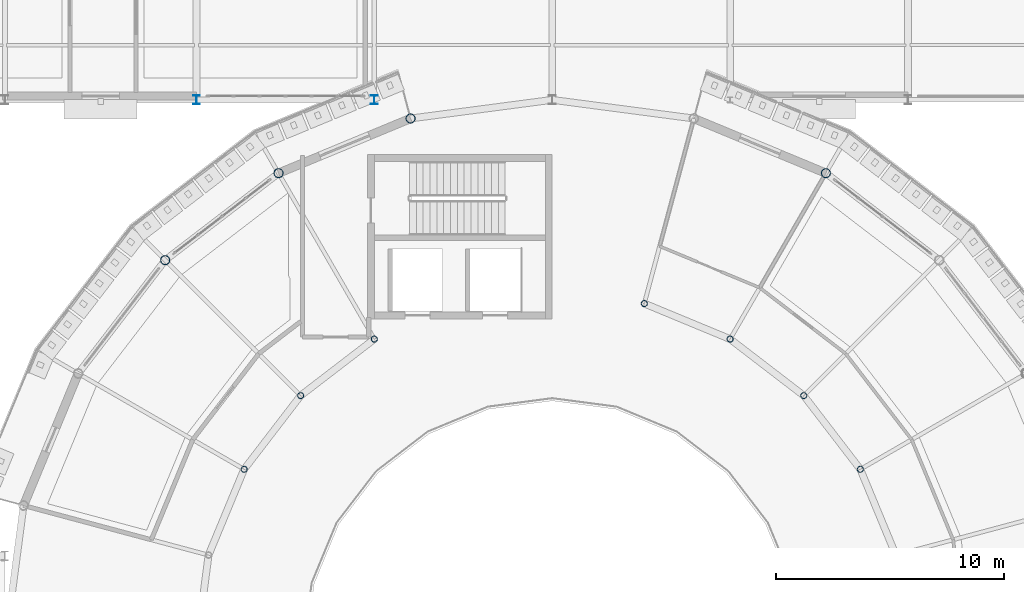
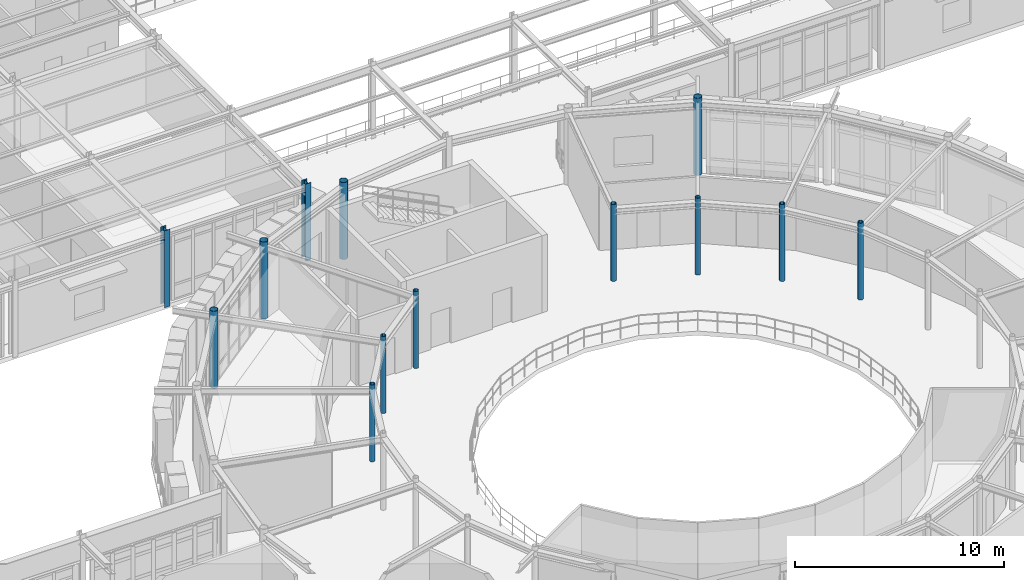
# One storey, part 18 of 106: 13 columns.
"""IFC4 building model written with IfcOpenShell, lengths in metres."""

import ifcopenshell
import ifcopenshell.guid

model = None  # the IFC model being written
_history = None  # IfcOwnerHistory: only IFC2X3 demands one
_inside = {}  # id of a spatial element -> (the spatial element, [elements in it])
_under = {}  # id of a project, library or spatial element -> (it, [spatial elements below it])
_declared = {}  # id of a project -> (the project, [libraries it declares])
_typed = {}  # id of a type object -> (the type object, [elements of that type])
_made_of = {}  # id of a material, layer set ... -> (it, [elements and type objects made of it])


def new_model(schema):
    """Start an empty IFC model of exactly this schema.

    Asked for "IFC4X3", IfcOpenShell would pick the latest addendum, in which some entities
    have other attributes; the version numbers below select the first issue.
    IFC2X3 requires an IfcOwnerHistory on every rooted entity: one is made here for all.
    """
    global model, _history
    if schema == "IFC4X3":
        model = ifcopenshell.file(schema_version=(4, 3, 0, 0))
    else:
        model = ifcopenshell.file(schema=schema)
    _inside.clear()
    _under.clear()
    _declared.clear()
    _typed.clear()
    _made_of.clear()
    _history = None
    if model.schema == "IFC2X3":
        org = make("IfcOrganization", Name="unknown")
        user = make(
            "IfcPersonAndOrganization",
            ThePerson=make("IfcPerson", FamilyName="unknown"),
            TheOrganization=org,
        )
        app = make(
            "IfcApplication",
            ApplicationDeveloper=org,
            Version="unknown",
            ApplicationFullName="unknown",
            ApplicationIdentifier="unknown",
        )
        _history = make(
            "IfcOwnerHistory",
            OwningUser=user,
            OwningApplication=app,
            ChangeAction="ADDED",
            CreationDate=0,
        )
    return model


def make(cls, **values):
    """One entity of the class cls with the attributes given. An attribute that is None is left unset."""
    return model.create_entity(
        cls, **{name: value for name, value in values.items() if value is not None}
    )


def rooted(cls, **values):
    """An entity with a GlobalId (a new one), such as an element, a storey or a relation."""
    return make(cls, GlobalId=ifcopenshell.guid.new(), OwnerHistory=_history, **values)


def si_unit(unit_type, name, prefix=None):
    """IfcSIUnit, for example si_unit("LENGTHUNIT", "METRE", prefix="MILLI")."""
    return make("IfcSIUnit", UnitType=unit_type, Prefix=prefix, Name=name)


def derived_unit(unit_type, elements):
    """IfcDerivedUnit: a product of units, each with its exponent."""
    return make(
        "IfcDerivedUnit",
        Elements=[
            make("IfcDerivedUnitElement", Unit=unit, Exponent=power)
            for unit, power in elements
        ],
        UnitType=unit_type,
    )


def assignment(units):
    """IfcUnitAssignment: the units of a project."""
    return None if units is None else make("IfcUnitAssignment", Units=units)


def point(xyz):
    """IfcCartesianPoint."""
    return None if xyz is None else make("IfcCartesianPoint", Coordinates=xyz)


def direction(xyz):
    """IfcDirection."""
    return None if xyz is None else make("IfcDirection", DirectionRatios=xyz)


def frame(location, z_axis=None, x_axis=None):
    """IfcAxis2Placement3D, a coordinate frame: its origin and axes. An axis left out is left unset."""
    return make(
        "IfcAxis2Placement3D",
        Location=point(location),
        Axis=direction(z_axis),
        RefDirection=direction(x_axis),
    )


def frame_2d(location, x_axis=None):
    """IfcAxis2Placement2D, a coordinate frame in the plane: its origin and x axis."""
    return make(
        "IfcAxis2Placement2D", Location=point(location), RefDirection=direction(x_axis)
    )


def origin():
    """The frame at (0, 0, 0) with its axes left unset."""
    return frame((0.0, 0.0, 0.0))


def origin_2d():
    """The frame at (0, 0) in the plane with its x axis left unset."""
    return frame_2d((0.0, 0.0))


def place(relative_to, where):
    """IfcLocalPlacement: puts the frame where relative to a parent placement (None: the world)."""
    return make(
        "IfcLocalPlacement", PlacementRelTo=relative_to, RelativePlacement=where
    )


def context(
    kind, dimensions, precision=None, world=None, true_north=None, identifier=None
):
    """IfcGeometricRepresentationContext, for example the 3D "Model" context."""
    return make(
        "IfcGeometricRepresentationContext",
        ContextIdentifier=identifier,
        ContextType=kind,
        CoordinateSpaceDimension=dimensions,
        Precision=precision,
        WorldCoordinateSystem=world,
        TrueNorth=true_north,
    )


def subcontext(parent, identifier, kind, view, scale=None):
    """IfcGeometricRepresentationSubContext, for example "Body" below "Model"."""
    return make(
        "IfcGeometricRepresentationSubContext",
        ContextIdentifier=identifier,
        ContextType=kind,
        ParentContext=parent,
        TargetScale=scale,
        TargetView=view,
    )


def project(units=None, contexts=None):
    """IfcProject with its units and contexts."""
    return rooted(
        "IfcProject",
        Name="project",
        RepresentationContexts=contexts,
        UnitsInContext=assignment(units),
    )


def spatial(cls, under=None, at=None, **own):
    """A site, building, storey or space (cls), placed at a placement, below another one or the project."""
    s = rooted(cls, ObjectPlacement=at, **own)
    if under is not None:
        _under.setdefault(under.id(), (under, []))[1].append(s)
    return s


def profile(cls, at=None, kind="AREA", **sizes):
    """A parametric profile (cls). Its sizes go by their IFC names, for example OverallWidth=200.0."""
    return make(cls, ProfileType=kind, Position=at, **sizes)


def hollow_circle(**sizes):
    """IfcCircleHollowProfileDef."""
    return profile("IfcCircleHollowProfileDef", **sizes)


def i_section(**sizes):
    """IfcIShapeProfileDef."""
    return profile("IfcIShapeProfileDef", **sizes)


def extrude(swept, where, along, depth):
    """IfcExtrudedAreaSolid: the profile swept, set in the frame where, extruded along a direction by depth."""
    return make(
        "IfcExtrudedAreaSolid",
        SweptArea=swept,
        Position=where,
        ExtrudedDirection=direction(along),
        Depth=depth,
    )


def shape(context_of_items, identifier, shape_type, items):
    """IfcShapeRepresentation: the items that make up one representation, for example the "Body"."""
    return make(
        "IfcShapeRepresentation",
        ContextOfItems=context_of_items,
        RepresentationIdentifier=identifier,
        RepresentationType=shape_type,
        Items=items,
    )


def material(Name=None, Category=None):
    """IfcMaterial."""
    return make("IfcMaterial", Name=Name, Category=Category)


def material_profile(
    of_material, cross_section, Name=None, Category=None, Priority=None
):
    """IfcMaterialProfile: a cross section and its material."""
    return make(
        "IfcMaterialProfile",
        Name=Name,
        Material=of_material,
        Profile=cross_section,
        Priority=Priority,
        Category=Category,
    )


def profile_set(profiles, Name=None, composite=None):
    """IfcMaterialProfileSet."""
    return make(
        "IfcMaterialProfileSet",
        Name=Name,
        MaterialProfiles=profiles,
        CompositeProfile=composite,
    )


def made_of(thing, what):
    """Note that an element or type object is made of a material, layer set ...; save() writes the relation."""
    if what is not None:
        _made_of.setdefault(what.id(), (what, []))[1].append(thing)
    return thing


def type_object(cls, material=None, **own):
    """A type object (cls), such as IfcWallType, which elements share."""
    return made_of(rooted(cls, **own), material)


def element(
    cls,
    number,
    at=None,
    inside=None,
    cuts=None,
    type_object=None,
    material=None,
    context=None,
    identifier="Body",
    shape_type=None,
    held_by="IfcProductDefinitionShape",
    body=None,
    shapes=None,
    **own,
):
    """One element of the class cls, such as IfcWall. Its Tag is "e" and its number.

    at: its placement. inside: the storey or other place that contains it. cuts: it is an
    opening in that element (IfcRelVoidsElement). A single representation is given by context,
    identifier, shape_type and body (its items); several are given by shapes. held_by: the class
    of the entity that holds the representations. save() writes the other relations.
    """
    e = rooted(cls, Tag="e%d" % number, ObjectPlacement=at, **own)
    if body is not None:
        shapes = [shape(context, identifier, shape_type, body)]
    if shapes is not None:
        e.Representation = make(held_by, Representations=shapes)
    if inside is not None:
        _inside.setdefault(inside.id(), (inside, []))[1].append(e)
    if cuts is not None:
        rooted(
            "IfcRelVoidsElement", RelatingBuildingElement=cuts, RelatedOpeningElement=e
        )
    if type_object is not None:
        _typed.setdefault(type_object.id(), (type_object, []))[1].append(e)
    return made_of(e, material)


def aggregate(whole, parts):
    """IfcRelAggregates: a whole, such as a stair, and the parts it consists of."""
    return rooted("IfcRelAggregates", RelatingObject=whole, RelatedObjects=parts)


def save(model, path):
    """Write the relations noted so far, then the file.

    IfcRelAggregates (storeys below a building ...), IfcRelContainedInSpatialStructure (elements
    in a storey), IfcRelDefinesByType, IfcRelAssociatesMaterial and IfcRelDeclares: one each for
    every whole, place, type object, material and project.
    """
    for whole, parts in _under.values():
        aggregate(whole, parts)
    for where, things in _inside.values():
        rooted(
            "IfcRelContainedInSpatialStructure",
            RelatedElements=things,
            RelatingStructure=where,
        )
    for kind, things in _typed.values():
        rooted("IfcRelDefinesByType", RelatedObjects=things, RelatingType=kind)
    for what, things in _made_of.values():
        rooted("IfcRelAssociatesMaterial", RelatedObjects=things, RelatingMaterial=what)
    for by, libraries in _declared.values():
        rooted("IfcRelDeclares", RelatingContext=by, RelatedDefinitions=libraries)
    model.write(path)


model = new_model("IFC4")

# Units and contexts
model_context = context("Model", 3, precision=1e-05, world=origin(), true_north=direction((0.0, 1.0)))
body_context = subcontext(model_context, "Body", "Model", "MODEL_VIEW")
ifc_project = project(units=[si_unit("LENGTHUNIT", "METRE"), si_unit("AREAUNIT", "SQUARE_METRE"), si_unit("VOLUMEUNIT", "CUBIC_METRE"), si_unit("PLANEANGLEUNIT", "RADIAN"), si_unit("MASSUNIT", "GRAM", prefix="KILO"), derived_unit("THERMALTRANSMITTANCEUNIT", [(si_unit("POWERUNIT", "WATT"), 1), (si_unit("AREAUNIT", "SQUARE_METRE"), -1), (si_unit("THERMODYNAMICTEMPERATUREUNIT", "KELVIN"), -1)])], contexts=[model_context])

# Site, building, storey
site_placement = place(None, origin())
site = spatial("IfcSite", under=ifc_project, at=site_placement, CompositionType="ELEMENT")
building_placement = place(site_placement, origin())
building = spatial("IfcBuilding", under=site, at=building_placement, Name="Yasenodar Specialist Clinic", CompositionType="ELEMENT")
storey_placement = place(building_placement, frame((0.0, 0.0, 4.5)))
storey = spatial("IfcBuildingStorey", under=building, at=storey_placement, Name="L01", CompositionType="ELEMENT", Elevation=4.5)

# Columns
ifc_material = material(Name="Steel S355", Category="steel")
ifc_material_profile_1 = material_profile(ifc_material, hollow_circle(Radius=0.136474609375, WallThickness=0.012451171875, at=origin_2d()), Name="CHS 273x12.5")
ifc_profile_set_1 = profile_set([ifc_material_profile_1], Name="Steel S355")
column_type_1 = type_object("IfcColumnType", Name="COL-ST-CHS273", PredefinedType="COLUMN", material=ifc_profile_set_1)
for number, where, z_axis, x_axis, name in (
    (1, (94.510009765625, 66.60009765625, 0.0), (0.0, 0.0, 1.0), (1.0, 0.0, 0.0), "L01 Drum V1 Inner Column 03"),
    (2, (92.031005859375, 69.830810546875, 0.0), (0.0, 0.0, 1.0), (1.0, 0.0, 0.0), "L01 Drum V1 Inner Column 04"),
    (3, (88.800048828125, 72.31005859375, 0.0), (0.0, 0.0, 1.0), (1.0, 0.0, 0.0), "L01 Drum V1 Inner Column 05"),
    (4, (85.03759765625, 73.868408203125, 0.0), (0.0, 0.0, 1.0), (1.0, 0.0, 0.0), "L01 Drum V1 Inner Column 06"),
    (5, (73.199951171875, 72.31005859375, 0.0), (0.0, 0.0, 1.0), (1.0, 0.0, 0.0), "L01 Drum V1 Inner Column 09"),
    (6, (69.968994140625, 69.830810546875, 0.0), (0.0, 0.0, 1.0), (1.0, 0.0, 0.0), "L01 Drum V1 Inner Column 10"),
    (7, (67.489990234375, 66.60009765625, 0.0), (0.0, 0.0, 1.0), (1.0, 0.0, 0.0), "L01 Drum V1 Inner Column 11"),
):
    element("IfcColumn", number, at=place(storey_placement, frame(where, z_axis=z_axis, x_axis=x_axis)), inside=storey, type_object=column_type_1, Name=name, PredefinedType="COLUMN", context=body_context, shape_type="SweptSolid", body=[
        extrude(hollow_circle(Radius=0.136474609375, WallThickness=0.012451171875, at=origin_2d()), origin(), (0.0, 0.0, 1.0), 4.5),
    ])
ifc_material_profile_2 = material_profile(ifc_material, hollow_circle(Radius=0.203125, WallThickness=0.01611328125, at=origin_2d()), Name="CHS 406.4x16")
ifc_profile_set_2 = profile_set([ifc_material_profile_2], Name="Steel S355")
column_type_2 = type_object("IfcColumnType", Name="COL-ST-CHS406", PredefinedType="COLUMN", material=ifc_profile_set_2)
for number, where, z_axis, x_axis, name in (
    (8, (93.0, 79.584716796875, 0.0), (0.0, 0.0, 1.0), (1.0, 0.0, 0.0), "L01 Drum V1 Outer Column 05"),
    (9, (74.788330078125, 81.982177734375, 0.0), (0.0, 0.0, 1.0), (1.0, 0.0, 0.0), "L01 Drum V1 Outer Column 08"),
    (10, (69.0, 79.584716796875, 0.0), (0.0, 0.0, 1.0), (1.0, 0.0, 0.0), "L01 Drum V1 Outer Column 09"),
    (11, (64.029296875, 75.7705078125, 0.0), (0.0, 0.0, 1.0), (1.0, 0.0, 0.0), "L01 Drum V1 Outer Column 10"),
):
    element("IfcColumn", number, at=place(storey_placement, frame(where, z_axis=z_axis, x_axis=x_axis)), inside=storey, type_object=column_type_2, Name=name, PredefinedType="COLUMN", context=body_context, shape_type="SweptSolid", body=[
        extrude(hollow_circle(Radius=0.203125, WallThickness=0.01611328125, at=origin_2d()), origin(), (0.0, 0.0, 1.0), 4.5),
    ])
ifc_material_profile_3 = material_profile(ifc_material, i_section(OverallWidth=0.300048828125, OverallDepth=0.389892578125, WebThickness=0.010986328125, FlangeThickness=0.01904296875, FilletRadius=0.027099609375, at=origin_2d()), Name="HEA 400")
ifc_profile_set_3 = profile_set([ifc_material_profile_3], Name="Steel S355")
column_type_3 = type_object("IfcColumnType", Name="COL-ST-HEA400", PredefinedType="COLUMN", material=ifc_profile_set_3)
for number, where, z_axis, x_axis, name in (
    (12, (65.39990234375, 82.800048828125, 0.0), (0.0, 0.0, 1.0), (1.0, 0.0, 0.0), "L01 Column V5-093"),
    (13, (73.199951171875, 82.800048828125, 0.0), (0.0, 0.0, 1.0), (1.0, 0.0, 0.0), "L01 Column V5-098"),
):
    element("IfcColumn", number, at=place(storey_placement, frame(where, z_axis=z_axis, x_axis=x_axis)), inside=storey, type_object=column_type_3, Name=name, PredefinedType="COLUMN", context=body_context, shape_type="SweptSolid", body=[
        extrude(i_section(OverallWidth=0.300048828125, OverallDepth=0.389892578125, WebThickness=0.010986328125, FlangeThickness=0.01904296875, FilletRadius=0.027099609375, at=origin_2d()), origin(), (0.0, 0.0, 1.0), 4.5),
    ])

save(model, "model.ifc")
